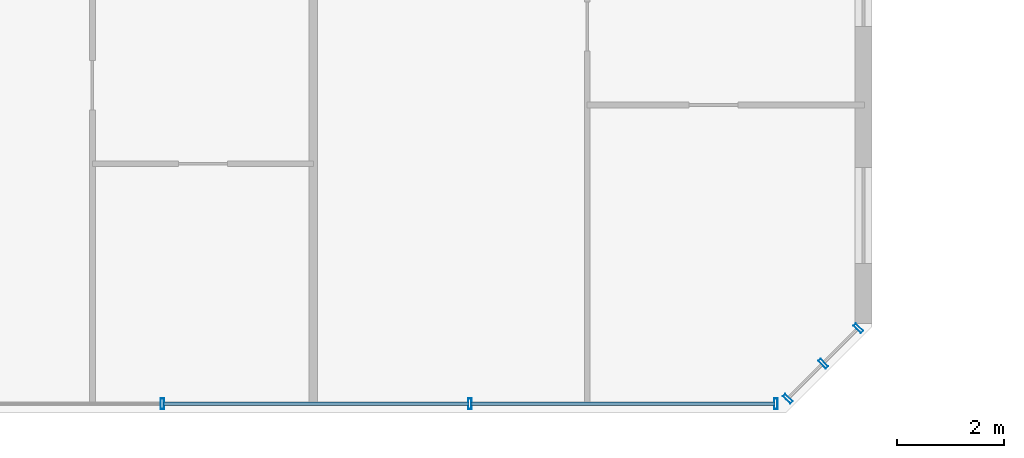
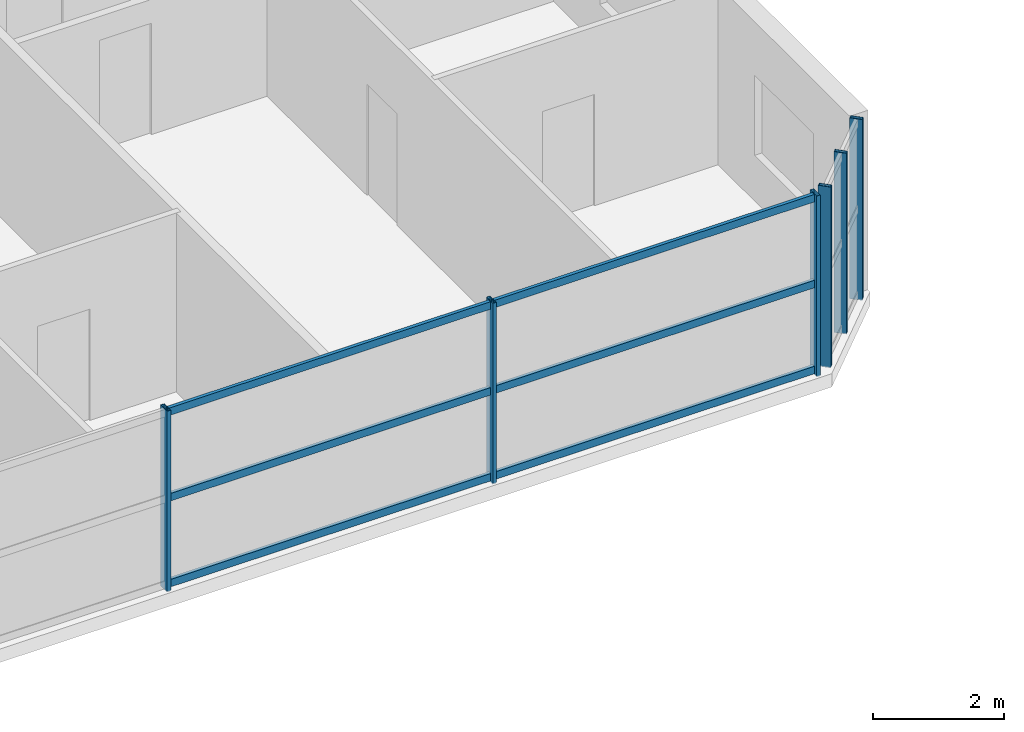
# One storey, part 6 of 20: 12 members, 2 elements without a shape of their own.
"""IFC4 building model written with IfcOpenShell, lengths in metres."""

from ifc_helpers import new_model, si_unit, direction, frame, origin, origin_2d, place, context, subcontext, project, spatial, hollow_rectangle, extrude, source, transform, mapped, material, material_profile, profile_set, type_object, element, aggregate, save


model = new_model("IFC4")

# Units and contexts
model_context = context("Model", 3, precision=1e-05, world=origin(), true_north=direction((0.0, 1.0)))
body_context = subcontext(model_context, "Body", "Model", "MODEL_VIEW")
ifc_project = project(units=[si_unit("LENGTHUNIT", "METRE"), si_unit("AREAUNIT", "SQUARE_METRE"), si_unit("VOLUMEUNIT", "CUBIC_METRE"), si_unit("PLANEANGLEUNIT", "RADIAN"), si_unit("MASSUNIT", "GRAM", prefix="KILO")], contexts=[model_context])

# Site, building, storey
site_placement = place(None, origin())
site = spatial("IfcSite", under=ifc_project, at=site_placement, CompositionType="ELEMENT")
building_placement = place(site_placement, origin())
building = spatial("IfcBuilding", under=site, at=building_placement, Name="Tlacorven Tower", CompositionType="ELEMENT")
storey_placement = place(building_placement, frame((0.0, 0.0, 187.800048828125)))
storey = spatial("IfcBuildingStorey", under=building, at=storey_placement, Name="L47", CompositionType="ELEMENT", Elevation=187.800048828125)

# Curtain wall, members
ifc_material_1 = material(Name="Dark solar low-E double glazing in aluminium frame", Category="aluminium")
curtain_wall_type = type_object("IfcCurtainWallType", Name="CW-TWR-MID", PredefinedType="USERDEFINED", material=ifc_material_1)
curtain_wall_1_placement = place(storey_placement, origin())
curtain_wall_1 = element("IfcCurtainWall", 1, at=curtain_wall_1_placement, inside=storey, type_object=curtain_wall_type, Name="L47 CW-TWR-MID Curtain Wall 216", ObjectType="UNITISED CURTAIN WALL", PredefinedType="USERDEFINED")
ifc_material_2 = material(Name="Aluminium 6063-T6 anodised", Category="aluminium")
ifc_material_profile_1 = material_profile(ifc_material_2, hollow_rectangle(XDim=0.06494140625, YDim=0.199951171875, WallThickness=0.00439453125, at=origin_2d()), Name="ALU MULLION 65X200")
ifc_profile_set_1 = profile_set([ifc_material_profile_1], Name="Aluminium 6063-T6 anodised")
member_type_1 = type_object("IfcMemberType", Name="CWM-02", PredefinedType="MULLION", material=ifc_profile_set_1)
shared_shape_1 = source(origin(), body_context, "Body", "SweptSolid", [
    extrude(hollow_rectangle(XDim=0.06494140625, YDim=0.199951171875, WallThickness=0.00439453125, at=origin_2d()), origin(), (0.0, 0.0, 1.0), 3.3798828125),
])
member_1_placement = place(storey_placement, frame((52.146240234375, 3.37255859375, -0.02001953125), z_axis=(0.0, 0.0, 1.0), x_axis=(-0.707106781187, -0.707106781187, 0.0)))
member_1 = element("IfcMember", 2, at=member_1_placement, type_object=member_type_1, Name="CW-L47-216 Mullion 1", PredefinedType="MULLION", context=body_context, shape_type="MappedRepresentation", body=[
    mapped(shared_shape_1, transform((0.0, 0.0, 0.0), scale=1.0)),
])
member_2_placement = place(storey_placement, frame((51.48681640625, 2.713134765625, -0.02001953125), z_axis=(0.0, 0.0, 1.0), x_axis=(-0.707106781187, -0.707106781187, 0.0)))
member_2 = element("IfcMember", 3, at=member_2_placement, type_object=member_type_1, Name="CW-L47-216 Mullion 2", PredefinedType="MULLION", context=body_context, shape_type="MappedRepresentation", body=[
    mapped(shared_shape_1, transform((0.0, 0.0, 0.0), scale=1.0)),
])
member_3_placement = place(storey_placement, frame((50.827392578125, 2.0537109375, -0.02001953125), z_axis=(0.0, 0.0, 1.0), x_axis=(-0.707106781187, -0.707106781187, 0.0)))
member_3 = element("IfcMember", 4, at=member_3_placement, type_object=member_type_1, Name="CW-L47-216 Mullion 3", PredefinedType="MULLION", context=body_context, shape_type="MappedRepresentation", body=[
    mapped(shared_shape_1, transform((0.0, 0.0, 0.0), scale=1.0)),
])
aggregate(curtain_wall_1, [member_1, member_2, member_3])

curtain_wall_2_placement = place(storey_placement, origin())
curtain_wall_2 = element("IfcCurtainWall", 5, at=curtain_wall_2_placement, inside=storey, type_object=curtain_wall_type, Name="L47 CW-TWR-MID Curtain Wall 217", ObjectType="UNITISED CURTAIN WALL", PredefinedType="USERDEFINED")
member_4_placement = place(storey_placement, frame((50.601318359375, 1.9599609375, -0.02001953125), z_axis=(0.0, 0.0, 1.0), x_axis=(-1.0, 0.0, 0.0)))
member_4 = element("IfcMember", 6, at=member_4_placement, type_object=member_type_1, Name="CW-L47-217 Mullion 1", PredefinedType="MULLION", context=body_context, shape_type="MappedRepresentation", body=[
    mapped(shared_shape_1, transform((0.0, 0.0, 0.0), scale=1.0)),
])
member_5_placement = place(storey_placement, frame((44.8779296875, 1.9599609375, -0.02001953125), z_axis=(0.0, 0.0, 1.0), x_axis=(-1.0, 0.0, 0.0)))
member_5 = element("IfcMember", 7, at=member_5_placement, type_object=member_type_1, Name="CW-L47-217 Mullion 2", PredefinedType="MULLION", context=body_context, shape_type="MappedRepresentation", body=[
    mapped(shared_shape_1, transform((0.0, 0.0, 0.0), scale=1.0)),
])
member_6_placement = place(storey_placement, frame((39.1220703125, 1.9599609375, -0.02001953125), z_axis=(0.0, 0.0, 1.0), x_axis=(-1.0, 0.0, 0.0)))
member_6 = element("IfcMember", 8, at=member_6_placement, type_object=member_type_1, Name="CW-L47-217 Mullion 3", PredefinedType="MULLION", context=body_context, shape_type="MappedRepresentation", body=[
    mapped(shared_shape_1, transform((0.0, 0.0, 0.0), scale=1.0)),
])
ifc_material_profile_2 = material_profile(ifc_material_2, hollow_rectangle(XDim=0.06005859375, YDim=0.139892578125, WallThickness=0.00390625, at=origin_2d()), Name="ALU TRANSOM 60X140")
ifc_profile_set_2 = profile_set([ifc_material_profile_2], Name="Aluminium 6063-T6 anodised")
member_type_2 = type_object("IfcMemberType", Name="CWT-02", PredefinedType="USERDEFINED", material=ifc_profile_set_2)
shared_shape_2 = source(origin(), body_context, "Body", "SweptSolid", [
    extrude(hollow_rectangle(XDim=0.06005859375, YDim=0.139892578125, WallThickness=0.00390625, at=origin_2d()), origin(), (0.0, 0.0, 1.0), 5.682373046875),
])
member_7_placement = place(storey_placement, frame((50.580810546875, 1.9599609375, 0.070068359375), z_axis=(-1.0, 0.0, 0.0), x_axis=(0.0, -1.0, 0.0)))
member_7 = element("IfcMember", 9, at=member_7_placement, type_object=member_type_2, Name="CW-L47-217 Transom 1", ObjectType="TRANSOM", PredefinedType="USERDEFINED", context=body_context, shape_type="MappedRepresentation", body=[
    mapped(shared_shape_2, transform((0.0, 0.0, 0.0), scale=1.0)),
])
member_8_placement = place(storey_placement, frame((50.580810546875, 1.9599609375, 1.675048828125), z_axis=(-1.0, 0.0, 0.0), x_axis=(0.0, -1.0, 0.0)))
member_8 = element("IfcMember", 10, at=member_8_placement, type_object=member_type_2, Name="CW-L47-217 Transom 2", ObjectType="TRANSOM", PredefinedType="USERDEFINED", context=body_context, shape_type="MappedRepresentation", body=[
    mapped(shared_shape_2, transform((0.0, 0.0, 0.0), scale=1.0)),
])
member_9_placement = place(storey_placement, frame((50.580810546875, 1.9599609375, 3.280029296875), z_axis=(-1.0, 0.0, 0.0), x_axis=(0.0, -1.0, 0.0)))
member_9 = element("IfcMember", 11, at=member_9_placement, type_object=member_type_2, Name="CW-L47-217 Transom 3", ObjectType="TRANSOM", PredefinedType="USERDEFINED", context=body_context, shape_type="MappedRepresentation", body=[
    mapped(shared_shape_2, transform((0.0, 0.0, 0.0), scale=1.0)),
])
shared_shape_3 = source(origin(), body_context, "Body", "SweptSolid", [
    extrude(hollow_rectangle(XDim=0.06005859375, YDim=0.139892578125, WallThickness=0.00390625, at=origin_2d()), origin(), (0.0, 0.0, 1.0), 5.71484375),
])
member_10_placement = place(storey_placement, frame((44.857421875, 1.9599609375, 0.070068359375), z_axis=(-1.0, 0.0, 0.0), x_axis=(0.0, -1.0, 0.0)))
member_10 = element("IfcMember", 12, at=member_10_placement, type_object=member_type_2, Name="CW-L47-217 Transom 4", ObjectType="TRANSOM", PredefinedType="USERDEFINED", context=body_context, shape_type="MappedRepresentation", body=[
    mapped(shared_shape_3, transform((0.0, 0.0, 0.0), scale=1.0)),
])
member_11_placement = place(storey_placement, frame((44.857421875, 1.9599609375, 1.675048828125), z_axis=(-1.0, 0.0, 0.0), x_axis=(0.0, -1.0, 0.0)))
member_11 = element("IfcMember", 13, at=member_11_placement, type_object=member_type_2, Name="CW-L47-217 Transom 5", ObjectType="TRANSOM", PredefinedType="USERDEFINED", context=body_context, shape_type="MappedRepresentation", body=[
    mapped(shared_shape_3, transform((0.0, 0.0, 0.0), scale=1.0)),
])
member_12_placement = place(storey_placement, frame((44.857421875, 1.9599609375, 3.280029296875), z_axis=(-1.0, 0.0, 0.0), x_axis=(0.0, -1.0, 0.0)))
member_12 = element("IfcMember", 14, at=member_12_placement, type_object=member_type_2, Name="CW-L47-217 Transom 6", ObjectType="TRANSOM", PredefinedType="USERDEFINED", context=body_context, shape_type="MappedRepresentation", body=[
    mapped(shared_shape_3, transform((0.0, 0.0, 0.0), scale=1.0)),
])
aggregate(curtain_wall_2, [member_4, member_5, member_6, member_7, member_8, member_9, member_10, member_11, member_12])

save(model, "model.ifc")
